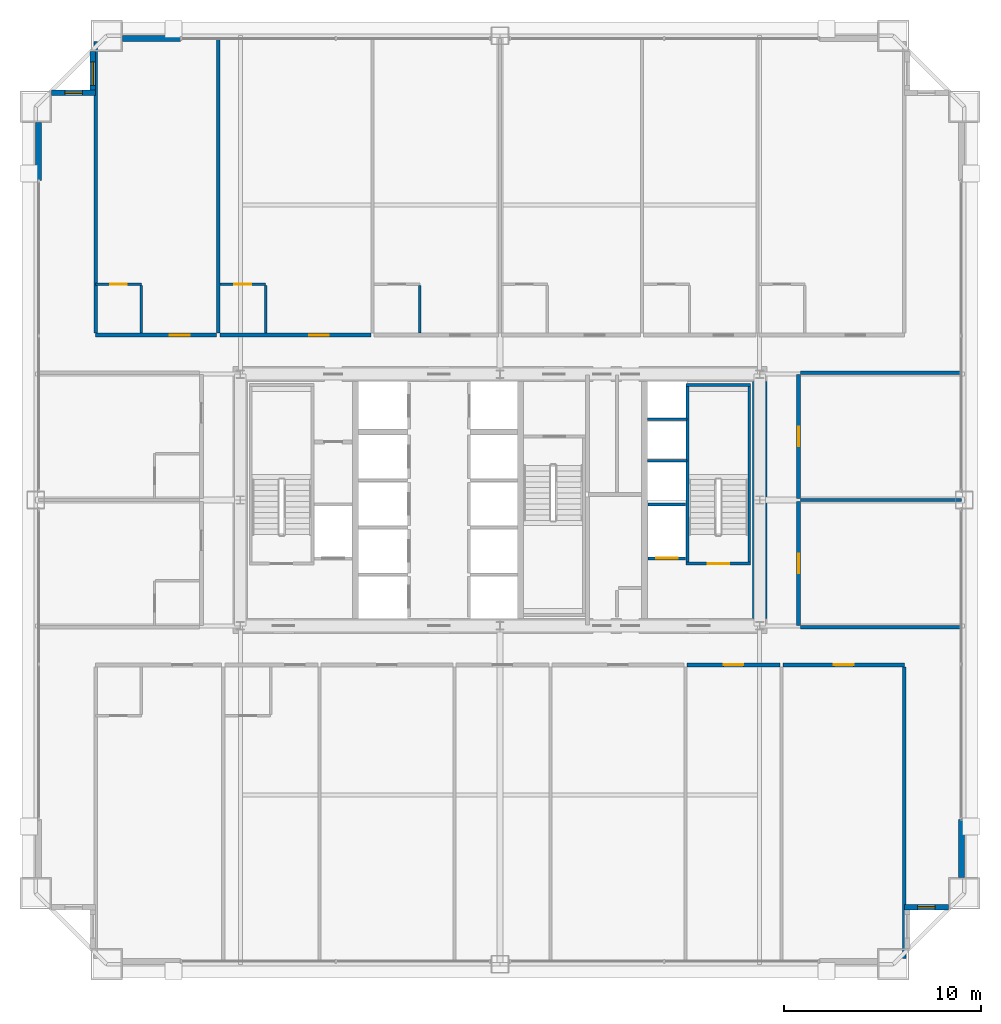
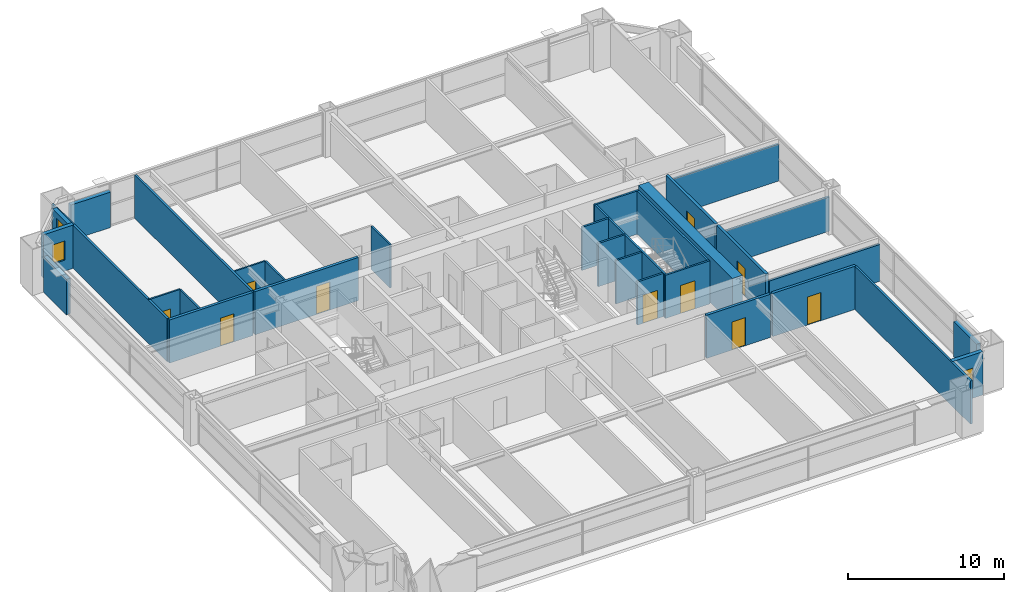
# One storey, part 37 of 39: 32 walls, 10 doors, 3 windows, 13 openings.
"""IFC4 building model written with IfcOpenShell, lengths in metres."""

from ifc_helpers import new_model, si_unit, direction, frame, frame_2d, origin, place, context, subcontext, project, spatial, rectangle, extrude, source, transform, mapped, material, layer, layer_set, type_object, element, fill, save


model = new_model("IFC4")

# Units and contexts
model_context = context("Model", 3, precision=1e-05, world=origin(), true_north=direction((0.0, 1.0)))
body_context = subcontext(model_context, "Body", "Model", "MODEL_VIEW")
ifc_project = project(units=[si_unit("LENGTHUNIT", "METRE"), si_unit("AREAUNIT", "SQUARE_METRE"), si_unit("VOLUMEUNIT", "CUBIC_METRE"), si_unit("PLANEANGLEUNIT", "RADIAN"), si_unit("MASSUNIT", "GRAM", prefix="KILO"), si_unit("THERMODYNAMICTEMPERATUREUNIT", "KELVIN"), si_unit("POWERUNIT", "WATT")], contexts=[model_context])

# Site, building, storey
site_placement = place(None, origin())
site = spatial("IfcSite", under=ifc_project, at=site_placement, CompositionType="ELEMENT")
building_placement = place(site_placement, origin())
building = spatial("IfcBuilding", under=site, at=building_placement, Name="Yuzanri Waterfront Tower", CompositionType="ELEMENT")
storey_placement = place(building_placement, frame((0.0, 0.0, 156.0)))
storey = spatial("IfcBuildingStorey", under=building, at=storey_placement, Name="L41", CompositionType="ELEMENT", Elevation=156.0)

# Wall, opening, door
ifc_material_1 = material(Name="Moisture-Resistant Gypsum Stud Wall", Category="gypsum")
ifc_layer_1 = layer(ifc_material_1, 0.1201171875)
ifc_layer_set_1 = layer_set([ifc_layer_1], Name="Moisture-Resistant Gypsum Stud Wall")
wall_type_1 = type_object("IfcWallType", Name="Bathroom and Kitchen Wet Partition 120", PredefinedType="PARTITIONING", material=ifc_layer_set_1)
wall_1_placement = place(storey_placement, frame((16.43994140625, 36.760009765625, 0.0), z_axis=(0.0, 0.0, 1.0), x_axis=(1.0, 0.0, 0.0)))
wall_1 = element("IfcWall", 1, at=wall_1_placement, inside=storey, type_object=wall_type_1, Name="L41 Partition UW-L41-N1-BN", PredefinedType="PARTITIONING", context=body_context, shape_type="SweptSolid", body=[
    extrude(rectangle(XDim=2.330078125, YDim=0.1201171875, at=frame_2d((1.1650390625, 0.0))), origin(), (0.0, 0.0, 1.0), 3.3798828125),
])
opening_1_placement = place(wall_1_placement, frame((0.739990234375, 0.0, 0.0)))
opening_1 = element("IfcOpeningElement", 2, at=opening_1_placement, cuts=wall_1, Name="Opening ID-0850", PredefinedType="OPENING", context=body_context, shape_type="SweptSolid", body=[
    extrude(rectangle(XDim=0.85009765625, YDim=2.10009765625, at=frame_2d((0.425048828125, 1.050048828125))), frame((0.0, 0.074951171875, 0.0), z_axis=(0.0, -1.0, 0.0), x_axis=(1.0, 0.0, 0.0)), (0.0, 0.0, 1.0), 0.14990234375),
])
ifc_material_2 = material(Name="Moisture-Resistant Lacquered Timber", Category="wood")
door_type_1 = type_object("IfcDoorType", Name="En-Suite Bathroom and Kitchen Swing Door 850x2100", OperationType="NOTDEFINED", PredefinedType="DOOR", material=ifc_material_2)
shared_shape_1 = source(origin(), body_context, "Body", "SweptSolid", [
    extrude(rectangle(XDim=0.85009765625, YDim=2.10009765625, at=frame_2d((0.425048828125, 1.050048828125))), frame((0.0, 0.02490234375, 0.0), z_axis=(0.0, -1.0, 0.0), x_axis=(1.0, 0.0, 0.0)), (0.0, 0.0, 1.0), 0.050048828125),
])
door_1_placement = place(opening_1_placement, origin())
door_1 = element("IfcDoor", 3, at=door_1_placement, inside=storey, type_object=door_type_1, Name="L41 Guest En-Suite Door", OperationType="SINGLE_SWING_LEFT", OverallHeight=2.10009765625, OverallWidth=0.85009765625, PredefinedType="DOOR", context=body_context, shape_type="MappedRepresentation", body=[
    mapped(shared_shape_1, transform((0.0, 0.0, 0.0), scale=1.0)),
])
fill(opening_1, door_1)

wall_2_placement = place(storey_placement, frame((22.757080078125, 36.760009765625, 0.0), z_axis=(0.0, 0.0, 1.0), x_axis=(1.0, 0.0, 0.0)))
wall_2 = element("IfcWall", 4, at=wall_2_placement, inside=storey, type_object=wall_type_1, Name="L41 Partition UW-L41-N2-BN", PredefinedType="PARTITIONING", context=body_context, shape_type="SweptSolid", body=[
    extrude(rectangle(XDim=2.329833984375, YDim=0.1201171875, at=frame_2d((1.1650390625, 0.0))), origin(), (0.0, 0.0, 1.0), 3.3798828125),
])
opening_2_placement = place(wall_2_placement, frame((0.739990234375, 0.0, 0.0)))
opening_2 = element("IfcOpeningElement", 5, at=opening_2_placement, cuts=wall_2, Name="Opening ID-0850", PredefinedType="OPENING", context=body_context, shape_type="SweptSolid", body=[
    extrude(rectangle(XDim=0.85009765625, YDim=2.10009765625, at=frame_2d((0.425048828125, 1.050048828125))), frame((0.0, 0.074951171875, 0.0), z_axis=(0.0, -1.0, 0.0), x_axis=(1.0, 0.0, 0.0)), (0.0, 0.0, 1.0), 0.14990234375),
])
door_2_placement = place(opening_2_placement, origin())
door_2 = element("IfcDoor", 6, at=door_2_placement, inside=storey, type_object=door_type_1, Name="L41 Guest En-Suite Door", OperationType="SINGLE_SWING_LEFT", OverallHeight=2.10009765625, OverallWidth=0.85009765625, PredefinedType="DOOR", context=body_context, shape_type="MappedRepresentation", body=[
    mapped(shared_shape_1, transform((0.0, 0.0, 0.0), scale=1.0)),
])
fill(opening_2, door_2)

# Wall, opening, window
ifc_material_3 = material(Name="Honed Chongqing Dark Basalt Stone", Category="masonry")
ifc_layer_2 = layer(ifc_material_3, 0.300048828125)
ifc_layer_set_2 = layer_set([ifc_layer_2], Name="Honed Chongqing Dark Basalt Stone")
wall_type_2 = type_object("IfcWallType", Name="Bronze Rainscreen Insulated Spandrel Portal Wall 300", PredefinedType="SOLIDWALL", material=ifc_layer_set_2)
wall_3_placement = place(storey_placement, frame((57.550048828125, 5.10009765625, 0.0), z_axis=(0.0, 0.0, 1.0), x_axis=(1.0, 0.0, 0.0)))
wall_3 = element("IfcWall", 7, at=wall_3_placement, inside=storey, type_object=wall_type_2, Name="L41 Notched Corner Masonry Wall SE-X", PredefinedType="SOLIDWALL", context=body_context, shape_type="SweptSolid", body=[
    extrude(rectangle(XDim=2.25, YDim=0.300048828125, at=frame_2d((1.125, 0.0))), origin(), (0.0, 0.0, 1.0), 3.3798828125),
])
opening_3_placement = place(wall_3_placement, frame((0.675048828125, 0.0, 0.85009765625)))
opening_3 = element("IfcOpeningElement", 8, at=opening_3_placement, cuts=wall_3, Name="Opening WN-05", PredefinedType="OPENING", context=body_context, shape_type="SweptSolid", body=[
    extrude(rectangle(XDim=0.89990234375, YDim=1.5, at=frame_2d((0.449951171875, 0.75))), frame((0.0, 0.1650390625, 0.0), z_axis=(0.0, -1.0, 0.0), x_axis=(1.0, 0.0, 0.0)), (0.0, 0.0, 1.0), 0.329833984375),
])
ifc_material_4 = material(Name="Double-Silver Low-E Insulated Glass", Category="glass")
window_type_1 = type_object("IfcWindowType", Name="Anodized Bronze Service and Stairwell Smoke-Vent Window 900x1500", PartitioningType="SINGLE_PANEL", PredefinedType="WINDOW", material=ifc_material_4)
shared_shape_2 = source(origin(), body_context, "Body", "SweptSolid", [
    extrude(rectangle(XDim=0.89990234375, YDim=1.5, at=frame_2d((0.449951171875, 0.75))), frame((0.0, 0.030029296875, 0.0), z_axis=(0.0, -1.0, 0.0), x_axis=(1.0, 0.0, 0.0)), (0.0, 0.0, 1.0), 0.06005859375),
])
window_1_placement = place(opening_3_placement, origin())
window_1 = element("IfcWindow", 9, at=window_1_placement, inside=storey, type_object=window_type_1, Name="L41 Notched Corner Window SE-X", OverallHeight=1.5, OverallWidth=0.89990234375, PartitioningType="SINGLE_PANEL", PredefinedType="WINDOW", context=body_context, shape_type="MappedRepresentation", body=[
    mapped(shared_shape_2, transform((0.0, 0.0, 0.0), scale=1.0)),
])
fill(opening_3, window_1)

wall_4_placement = place(storey_placement, frame((16.449951171875, 46.5, 0.0), z_axis=(0.0, 0.0, 1.0), x_axis=(-1.0, 0.0, 0.0)))
wall_4 = element("IfcWall", 10, at=wall_4_placement, inside=storey, type_object=wall_type_2, Name="L41 Notched Corner Masonry Wall NW-X", PredefinedType="SOLIDWALL", context=body_context, shape_type="SweptSolid", body=[
    extrude(rectangle(XDim=2.25, YDim=0.300048828125, at=frame_2d((1.125, 0.0))), origin(), (0.0, 0.0, 1.0), 3.3798828125),
])
opening_4_placement = place(wall_4_placement, frame((0.675048828125, 0.0, 0.85009765625)))
opening_4 = element("IfcOpeningElement", 11, at=opening_4_placement, cuts=wall_4, Name="Opening WN-05", PredefinedType="OPENING", context=body_context, shape_type="SweptSolid", body=[
    extrude(rectangle(XDim=0.89990234375, YDim=1.5, at=frame_2d((0.449951171875, 0.75))), frame((0.0, 0.1650390625, 0.0), z_axis=(0.0, -1.0, 0.0), x_axis=(1.0, 0.0, 0.0)), (0.0, 0.0, 1.0), 0.329833984375),
])
window_2_placement = place(opening_4_placement, origin())
window_2 = element("IfcWindow", 12, at=window_2_placement, inside=storey, type_object=window_type_1, Name="L41 Notched Corner Window NW-X", OverallHeight=1.5, OverallWidth=0.89990234375, PartitioningType="SINGLE_PANEL", PredefinedType="WINDOW", context=body_context, shape_type="MappedRepresentation", body=[
    mapped(shared_shape_2, transform((0.0, 0.0, 0.0), scale=1.0)),
])
fill(opening_4, window_2)

wall_5_placement = place(storey_placement, frame((16.300048828125, 48.60009765625, 0.0), z_axis=(0.0, 0.0, 1.0), x_axis=(0.0, -1.0, 0.0)))
wall_5 = element("IfcWall", 13, at=wall_5_placement, inside=storey, type_object=wall_type_2, Name="L41 Notched Corner Masonry Wall NW-Y", PredefinedType="SOLIDWALL", context=body_context, shape_type="SweptSolid", body=[
    extrude(rectangle(XDim=2.25, YDim=0.300048828125, at=frame_2d((1.125, 0.0))), origin(), (0.0, 0.0, 1.0), 3.3798828125),
])
opening_5_placement = place(wall_5_placement, frame((0.52490234375, 0.0, 0.85009765625)))
opening_5 = element("IfcOpeningElement", 14, at=opening_5_placement, cuts=wall_5, Name="Opening WN-02", PredefinedType="OPENING", context=body_context, shape_type="SweptSolid", body=[
    extrude(rectangle(XDim=1.199951171875, YDim=2.10009765625, at=frame_2d((0.60009765625, 1.050048828125))), frame((0.0, 0.1650390625, 0.0), z_axis=(0.0, -1.0, 0.0), x_axis=(1.0, 0.0, 0.0)), (0.0, 0.0, 1.0), 0.329833984375),
])
ifc_material_5 = material(Name="Double-Silver Low-E Insulated Glass", Category="glass")
window_type_2 = type_object("IfcWindowType", Name="Anodized Bronze Notched Corner Deep-Set Slot Window 1200x2100", PartitioningType="SINGLE_PANEL", PredefinedType="WINDOW", material=ifc_material_5)
shared_shape_3 = source(origin(), body_context, "Body", "SweptSolid", [
    extrude(rectangle(XDim=1.199951171875, YDim=2.10009765625, at=frame_2d((0.60009765625, 1.050048828125))), frame((0.0, 0.030029296875, 0.0), z_axis=(0.0, -1.0, 0.0), x_axis=(1.0, 0.0, 0.0)), (0.0, 0.0, 1.0), 0.06005859375),
])
window_3_placement = place(opening_5_placement, origin())
window_3 = element("IfcWindow", 15, at=window_3_placement, inside=storey, type_object=window_type_2, Name="L41 Notched Corner Window NW-Y", OverallHeight=2.10009765625, OverallWidth=1.199951171875, PartitioningType="SINGLE_PANEL", PredefinedType="WINDOW", context=body_context, shape_type="MappedRepresentation", body=[
    mapped(shared_shape_3, transform((0.0, 0.0, 0.0), scale=1.0)),
])
fill(opening_5, window_3)

# Wall, opening, door
ifc_material_6 = material(Name="Concrete C40", Category="concrete")
ifc_layer_3 = layer(ifc_material_6, 0.139892578125)
ifc_layer_set_3 = layer_set([ifc_layer_3], Name="Concrete C40")
wall_type_3 = type_object("IfcWallType", Name="Core Stair Liner and Hoistway Shaft Wall 140", PredefinedType="SOLIDWALL", material=ifc_layer_set_3)
wall_6_placement = place(storey_placement, frame((44.52001953125, 22.830078125, 0.0), z_axis=(0.0, 0.0, 1.0), x_axis=(1.0, 0.0, 0.0)))
wall_6 = element("IfcWall", 16, at=wall_6_placement, inside=storey, type_object=wall_type_3, Name="L41 Lift FL-02 Front Shaft Wall", PredefinedType="SOLIDWALL", context=body_context, shape_type="SweptSolid", body=[
    extrude(rectangle(XDim=1.919921875, YDim=0.139892578125, at=frame_2d((0.9599609375, 0.0))), origin(), (0.0, 0.0, 1.0), 3.3798828125),
])
opening_6_placement = place(wall_6_placement, frame((0.409912109375, 0.0, 0.0)))
opening_6 = element("IfcOpeningElement", 17, at=opening_6_placement, cuts=wall_6, Name="Opening LD-FL-02", PredefinedType="OPENING", context=body_context, shape_type="SweptSolid", body=[
    extrude(rectangle(XDim=1.10009765625, YDim=2.199951171875, at=frame_2d((0.550048828125, 1.10009765625))), frame((0.0, 0.0849609375, 0.0), z_axis=(0.0, -1.0, 0.0), x_axis=(1.0, 0.0, 0.0)), (0.0, 0.0, 1.0), 0.169677734375),
])
ifc_material_7 = material(Name="Brushed Bronze and Stainless Steel Cab", Category="steel")
door_type_2 = type_object("IfcDoorType", Name="Center-Parting Bronze Lift Landing Sliding Door 1100x2200", OperationType="NOTDEFINED", PredefinedType="DOOR", material=ifc_material_7)
shared_shape_4 = source(origin(), body_context, "Body", "SweptSolid", [
    extrude(rectangle(XDim=1.10009765625, YDim=2.199951171875, at=frame_2d((0.550048828125, 1.10009765625))), frame((0.0, 0.02490234375, 0.0), z_axis=(0.0, -1.0, 0.0), x_axis=(1.0, 0.0, 0.0)), (0.0, 0.0, 1.0), 0.050048828125),
])
door_3_placement = place(opening_6_placement, origin())
door_3 = element("IfcDoor", 18, at=door_3_placement, inside=storey, type_object=door_type_2, Name="L41 FL-02 Lift Landing Sliding Door", OperationType="SLIDING_TO_RIGHT", OverallHeight=2.199951171875, OverallWidth=1.10009765625, PredefinedType="DOOR", context=body_context, shape_type="MappedRepresentation", body=[
    mapped(shared_shape_4, transform((0.0, 0.0, 0.0), scale=1.0)),
])
fill(opening_6, door_3)

wall_7_placement = place(storey_placement, frame((46.4599609375, 22.570068359375, 0.0), z_axis=(0.0, 0.0, 1.0), x_axis=(1.0, 0.0, 0.0)))
wall_7 = element("IfcWall", 19, at=wall_7_placement, inside=storey, type_object=wall_type_3, Name="L41 Shaft Wall STW-L41-ST-02-S", PredefinedType="SOLIDWALL", context=body_context, shape_type="SweptSolid", body=[
    extrude(rectangle(XDim=3.280029296875, YDim=0.139892578125, at=frame_2d((1.64013671875, 0.0))), origin(), (0.0, 0.0, 1.0), 3.3798828125),
])
opening_7_placement = place(wall_7_placement, frame((1.090087890625, 0.0, 0.0)))
opening_7 = element("IfcOpeningElement", 20, at=opening_7_placement, cuts=wall_7, Name="Opening FD-1100", PredefinedType="OPENING", context=body_context, shape_type="SweptSolid", body=[
    extrude(rectangle(XDim=1.10009765625, YDim=2.199951171875, at=frame_2d((0.550048828125, 1.10009765625))), frame((0.0, 0.0849609375, 0.0), z_axis=(0.0, -1.0, 0.0), x_axis=(1.0, 0.0, 0.0)), (0.0, 0.0, 1.0), 0.169677734375),
])
ifc_material_8 = material(Name="Painted Galvanized Fire Steel", Category="steel")
door_type_3 = type_object("IfcDoorType", Name="Smoke-Proof Stair and Lobby Fire Door 1100x2200", OperationType="NOTDEFINED", PredefinedType="DOOR", material=ifc_material_8)
shared_shape_5 = source(origin(), body_context, "Body", "SweptSolid", [
    extrude(rectangle(XDim=1.10009765625, YDim=2.199951171875, at=frame_2d((0.550048828125, 1.10009765625))), frame((0.0, 0.02490234375, 0.0), z_axis=(0.0, -1.0, 0.0), x_axis=(1.0, 0.0, 0.0)), (0.0, 0.0, 1.0), 0.050048828125),
])
door_4_placement = place(opening_7_placement, origin())
door_4 = element("IfcDoor", 21, at=door_4_placement, inside=storey, type_object=door_type_3, Name="L41 Stair ST-02 Fire Door", OperationType="SINGLE_SWING_RIGHT", OverallHeight=2.199951171875, OverallWidth=1.10009765625, PredefinedType="DOOR", context=body_context, shape_type="MappedRepresentation", body=[
    mapped(shared_shape_5, transform((0.0, 0.0, 0.0), scale=1.0)),
])
fill(opening_7, door_4)

ifc_material_9 = material(Name="Autoclaved Aerated Concrete Blockwork", Category="masonry")
ifc_layer_4 = layer(ifc_material_9, 0.199951171875)
ifc_layer_set_4 = layer_set([ifc_layer_4], Name="Autoclaved Aerated Concrete Blockwork")
wall_type_4 = type_object("IfcWallType", Name="Corridor and Unit Party Fire Wall 200", PredefinedType="PARTITIONING", material=ifc_layer_set_4)
wall_8_placement = place(storey_placement, frame((46.508056640625, 17.419921875, 0.0), z_axis=(0.0, 0.0, 1.0), x_axis=(1.0, 0.0, 0.0)))
wall_8 = element("IfcWall", 22, at=wall_8_placement, inside=storey, type_object=wall_type_4, Name="L41 Partition UW-L41-S6-CN", PredefinedType="PARTITIONING", context=body_context, shape_type="SweptSolid", body=[
    extrude(rectangle(XDim=4.72802734375, YDim=0.199951171875, at=frame_2d((2.364013671875, 0.0))), origin(), (0.0, 0.0, 1.0), 3.3798828125),
])
opening_8_placement = place(wall_8_placement, frame((1.864013671875, 0.0, 0.0)))
opening_8 = element("IfcOpeningElement", 23, at=opening_8_placement, cuts=wall_8, Name="Opening FD-1000", PredefinedType="OPENING", context=body_context, shape_type="SweptSolid", body=[
    extrude(rectangle(XDim=1.0, YDim=2.199951171875, at=frame_2d((0.5, 1.10009765625))), frame((0.0, 0.11474609375, 0.0), z_axis=(0.0, -1.0, 0.0), x_axis=(1.0, 0.0, 0.0)), (0.0, 0.0, 1.0), 0.229736328125),
])
ifc_material_10 = material(Name="Engineered Oak Fire-Rated Timber", Category="wood")
door_type_4 = type_object("IfcDoorType", Name="Guestroom and Apartment Entrance Fire Door 1000x2200", OperationType="NOTDEFINED", PredefinedType="DOOR", material=ifc_material_10)
shared_shape_6 = source(origin(), body_context, "Body", "SweptSolid", [
    extrude(rectangle(XDim=1.0, YDim=2.199951171875, at=frame_2d((0.5, 1.10009765625))), frame((0.0, 0.02490234375, 0.0), z_axis=(0.0, -1.0, 0.0), x_axis=(1.0, 0.0, 0.0)), (0.0, 0.0, 1.0), 0.050048828125),
])
door_5_placement = place(opening_8_placement, origin())
door_5 = element("IfcDoor", 24, at=door_5_placement, inside=storey, type_object=door_type_4, Name="L41 Office A Entrance Door", OperationType="SINGLE_SWING_RIGHT", OverallHeight=2.199951171875, OverallWidth=1.0, PredefinedType="DOOR", context=body_context, shape_type="MappedRepresentation", body=[
    mapped(shared_shape_6, transform((0.0, 0.0, 0.0), scale=1.0)),
])
fill(opening_8, door_5)

wall_9_placement = place(storey_placement, frame((51.39599609375, 17.419921875, 0.0), z_axis=(0.0, 0.0, 1.0), x_axis=(1.0, 0.0, 0.0)))
wall_9 = element("IfcWall", 25, at=wall_9_placement, inside=storey, type_object=wall_type_4, Name="L41 Partition UW-L41-S7-CN", PredefinedType="PARTITIONING", context=body_context, shape_type="SweptSolid", body=[
    extrude(rectangle(XDim=6.1640625, YDim=0.199951171875, at=frame_2d((3.08203125, 0.0))), origin(), (0.0, 0.0, 1.0), 3.3798828125),
])
opening_9_placement = place(wall_9_placement, frame((2.58203125, 0.0, 0.0)))
opening_9 = element("IfcOpeningElement", 26, at=opening_9_placement, cuts=wall_9, Name="Opening FD-1000", PredefinedType="OPENING", context=body_context, shape_type="SweptSolid", body=[
    extrude(rectangle(XDim=1.0, YDim=2.199951171875, at=frame_2d((0.5, 1.10009765625))), frame((0.0, 0.11474609375, 0.0), z_axis=(0.0, -1.0, 0.0), x_axis=(1.0, 0.0, 0.0)), (0.0, 0.0, 1.0), 0.229736328125),
])
door_6_placement = place(opening_9_placement, origin())
door_6 = element("IfcDoor", 27, at=door_6_placement, inside=storey, type_object=door_type_4, Name="L41 Office B Entrance Door", OperationType="SINGLE_SWING_LEFT", OverallHeight=2.199951171875, OverallWidth=1.0, PredefinedType="DOOR", context=body_context, shape_type="MappedRepresentation", body=[
    mapped(shared_shape_6, transform((0.0, 0.0, 0.0), scale=1.0)),
])
fill(opening_9, door_6)

wall_10_placement = place(storey_placement, frame((16.43994140625, 34.179931640625, 0.0), z_axis=(0.0, 0.0, 1.0), x_axis=(1.0, 0.0, 0.0)))
wall_10 = element("IfcWall", 28, at=wall_10_placement, inside=storey, type_object=wall_type_4, Name="L41 Partition UW-L41-N1-CS", PredefinedType="PARTITIONING", context=body_context, shape_type="SweptSolid", body=[
    extrude(rectangle(XDim=6.156982421875, YDim=0.199951171875, at=frame_2d((3.07861328125, 0.0))), origin(), (0.0, 0.0, 1.0), 3.3798828125),
])
opening_10_placement = place(wall_10_placement, frame((3.783935546875, 0.0, 0.0)))
opening_10 = element("IfcOpeningElement", 29, at=opening_10_placement, cuts=wall_10, Name="Opening FD-1000", PredefinedType="OPENING", context=body_context, shape_type="SweptSolid", body=[
    extrude(rectangle(XDim=1.0, YDim=2.199951171875, at=frame_2d((0.5, 1.10009765625))), frame((0.0, 0.11474609375, 0.0), z_axis=(0.0, -1.0, 0.0), x_axis=(1.0, 0.0, 0.0)), (0.0, 0.0, 1.0), 0.229736328125),
])
door_7_placement = place(opening_10_placement, origin())
door_7 = element("IfcDoor", 30, at=door_7_placement, inside=storey, type_object=door_type_4, Name="L41 Deluxe Queen Junior Suite Entrance Door", OperationType="SINGLE_SWING_RIGHT", OverallHeight=2.199951171875, OverallWidth=1.0, PredefinedType="DOOR", context=body_context, shape_type="MappedRepresentation", body=[
    mapped(shared_shape_6, transform((0.0, 0.0, 0.0), scale=1.0)),
])
fill(opening_10, door_7)

wall_11_placement = place(storey_placement, frame((22.757080078125, 34.179931640625, 0.0), z_axis=(0.0, 0.0, 1.0), x_axis=(1.0, 0.0, 0.0)))
wall_11 = element("IfcWall", 31, at=wall_11_placement, inside=storey, type_object=wall_type_4, Name="L41 Partition UW-L41-N2-CS", PredefinedType="PARTITIONING", context=body_context, shape_type="SweptSolid", body=[
    extrude(rectangle(XDim=7.679931640625, YDim=0.199951171875, at=frame_2d((3.83984375, 0.0))), origin(), (0.0, 0.0, 1.0), 3.3798828125),
])
opening_11_placement = place(wall_11_placement, frame((4.544921875, 0.0, 0.0)))
opening_11 = element("IfcOpeningElement", 32, at=opening_11_placement, cuts=wall_11, Name="Opening FD-1000", PredefinedType="OPENING", context=body_context, shape_type="SweptSolid", body=[
    extrude(rectangle(XDim=1.0, YDim=2.199951171875, at=frame_2d((0.5, 1.10009765625))), frame((0.0, 0.11474609375, 0.0), z_axis=(0.0, -1.0, 0.0), x_axis=(1.0, 0.0, 0.0)), (0.0, 0.0, 1.0), 0.229736328125),
])
door_8_placement = place(opening_11_placement, origin())
door_8 = element("IfcDoor", 33, at=door_8_placement, inside=storey, type_object=door_type_4, Name="L41 Deluxe Queen Junior Suite Entrance Door", OperationType="SINGLE_SWING_RIGHT", OverallHeight=2.199951171875, OverallWidth=1.0, PredefinedType="DOOR", context=body_context, shape_type="MappedRepresentation", body=[
    mapped(shared_shape_6, transform((0.0, 0.0, 0.0), scale=1.0)),
])
fill(opening_11, door_8)

wall_12_placement = place(storey_placement, frame((52.179931640625, 19.409912109375, 0.0), z_axis=(0.0, 0.0, 1.0), x_axis=(0.0, 1.0, 0.0)))
wall_12 = element("IfcWall", 34, at=wall_12_placement, inside=storey, type_object=wall_type_4, Name="L41 Partition UW-L41-E1-CW", PredefinedType="PARTITIONING", context=body_context, shape_type="SweptSolid", body=[
    extrude(rectangle(XDim=6.31005859375, YDim=0.199951171875, at=frame_2d((3.155029296875, 0.0))), origin(), (0.0, 0.0, 1.0), 3.3798828125),
])
opening_12_placement = place(wall_12_placement, frame((2.655029296875, 0.0, 0.0)))
opening_12 = element("IfcOpeningElement", 35, at=opening_12_placement, cuts=wall_12, Name="Opening FD-1000", PredefinedType="OPENING", context=body_context, shape_type="SweptSolid", body=[
    extrude(rectangle(XDim=1.0, YDim=2.199951171875, at=frame_2d((0.5, 1.10009765625))), frame((0.0, 0.11474609375, 0.0), z_axis=(0.0, -1.0, 0.0), x_axis=(1.0, 0.0, 0.0)), (0.0, 0.0, 1.0), 0.229736328125),
])
door_9_placement = place(opening_12_placement, origin())
door_9 = element("IfcDoor", 36, at=door_9_placement, inside=storey, type_object=door_type_4, Name="L41 Boardroom 1 Entrance Door", OperationType="SINGLE_SWING_RIGHT", OverallHeight=2.199951171875, OverallWidth=1.0, PredefinedType="DOOR", context=body_context, shape_type="MappedRepresentation", body=[
    mapped(shared_shape_6, transform((0.0, 0.0, 0.0), scale=1.0)),
])
fill(opening_12, door_9)

wall_13_placement = place(storey_placement, frame((52.179931640625, 25.8798828125, 0.0), z_axis=(0.0, 0.0, 1.0), x_axis=(0.0, 1.0, 0.0)))
wall_13 = element("IfcWall", 37, at=wall_13_placement, inside=storey, type_object=wall_type_4, Name="L41 Partition UW-L41-E2-CW", PredefinedType="PARTITIONING", context=body_context, shape_type="SweptSolid", body=[
    extrude(rectangle(XDim=6.31005859375, YDim=0.199951171875, at=frame_2d((3.155029296875, 0.0))), origin(), (0.0, 0.0, 1.0), 3.3798828125),
])
opening_13_placement = place(wall_13_placement, frame((2.655029296875, 0.0, 0.0)))
opening_13 = element("IfcOpeningElement", 38, at=opening_13_placement, cuts=wall_13, Name="Opening FD-1000", PredefinedType="OPENING", context=body_context, shape_type="SweptSolid", body=[
    extrude(rectangle(XDim=1.0, YDim=2.199951171875, at=frame_2d((0.5, 1.10009765625))), frame((0.0, 0.11474609375, 0.0), z_axis=(0.0, -1.0, 0.0), x_axis=(1.0, 0.0, 0.0)), (0.0, 0.0, 1.0), 0.229736328125),
])
door_10_placement = place(opening_13_placement, origin())
door_10 = element("IfcDoor", 39, at=door_10_placement, inside=storey, type_object=door_type_4, Name="L41 Boardroom 2 Entrance Door", OperationType="SINGLE_SWING_LEFT", OverallHeight=2.199951171875, OverallWidth=1.0, PredefinedType="DOOR", context=body_context, shape_type="MappedRepresentation", body=[
    mapped(shared_shape_6, transform((0.0, 0.0, 0.0), scale=1.0)),
])
fill(opening_13, door_10)

# Walls
ifc_material_11 = material(Name="Concrete C55", Category="concrete")
ifc_layer_5 = layer(ifc_material_11, 0.75)
ifc_layer_set_5 = layer_set([ifc_layer_5], Name="Concrete C55")
wall_type_5 = type_object("IfcWallType", Name="Concrete C55 Low-Mid Zone Core Shear Wall 750", PredefinedType="SHEAR", material=ifc_layer_set_5)
shared_shape_7 = source(origin(), body_context, "Body", "SweptSolid", [
    extrude(rectangle(XDim=12.050048828125, YDim=0.75, at=frame_2d((6.02490234375, 0.0))), origin(), (0.0, 0.0, 1.0), 3.60009765625),
])
wall_14_placement = place(storey_placement, frame((50.199951171875, 19.77490234375, 0.0), z_axis=(0.0, 0.0, 1.0), x_axis=(0.0, 1.0, 0.0)))
element("IfcWall", 40, at=wall_14_placement, inside=storey, type_object=wall_type_5, Name="L41 Core East Shear Wall", PredefinedType="SHEAR", context=body_context, shape_type="MappedRepresentation", body=[
    mapped(shared_shape_7, transform((0.0, 0.0, 0.0), scale=1.0)),
])
shared_shape_8 = source(origin(), body_context, "Body", "SweptSolid", [
    extrude(rectangle(XDim=2.949951171875, YDim=0.300048828125, at=frame_2d((1.47509765625, 0.0))), origin(), (0.0, 0.0, 1.0), 2.77490234375),
])
for number, where, z_axis, x_axis, name in (
    (41, (17.800048828125, 49.25, 0.0), (0.0, 0.0, 1.0), (1.0, 0.0, 0.0), "L41 N Left Braced Masonry Shoulder"),
    (42, (13.550048828125, 42.050048828125, 0.0), (0.0, 0.0, 1.0), (0.0, 1.0, 0.0), "L41 W Right Braced Masonry Shoulder"),
    (43, (60.449951171875, 6.60009765625, 0.0), (0.0, 0.0, 1.0), (0.0, 1.0, 0.0), "L41 E Left Braced Masonry Shoulder"),
):
    element("IfcWall", number, at=place(storey_placement, frame(where, z_axis=z_axis, x_axis=x_axis)), inside=storey, type_object=wall_type_2, Name=name, PredefinedType="SOLIDWALL", context=body_context, shape_type="MappedRepresentation", body=[
        mapped(shared_shape_8, transform((0.0, 0.0, 0.0), scale=1.0)),
    ])
shared_shape_9 = source(origin(), body_context, "Body", "SweptSolid", [
    extrude(rectangle(XDim=1.919921875, YDim=0.139892578125, at=frame_2d((0.9599609375, 0.0))), origin(), (0.0, 0.0, 1.0), 3.3798828125),
])
wall_15_placement = place(storey_placement, frame((44.52001953125, 25.570068359375, 0.0), z_axis=(0.0, 0.0, 1.0), x_axis=(1.0, 0.0, 0.0)))
element("IfcWall", 44, at=wall_15_placement, inside=storey, type_object=wall_type_3, Name="L41 Lift FL-02 Back Shaft Wall", PredefinedType="SOLIDWALL", context=body_context, shape_type="MappedRepresentation", body=[
    mapped(shared_shape_9, transform((0.0, 0.0, 0.0), scale=1.0)),
])
shared_shape_10 = source(origin(), body_context, "Body", "SweptSolid", [
    extrude(rectangle(XDim=2.0, YDim=0.139892578125, at=frame_2d((1.0, 0.0))), origin(), (0.0, 0.0, 1.0), 3.3798828125),
])
for number, where, z_axis, x_axis, name in (
    (45, (44.5, 27.800048828125, 0.0), (0.0, 0.0, 1.0), (1.0, 0.0, 0.0), "L41 Lift PL-09 Divider Wall"),
    (46, (44.5, 29.89990234375, 0.0), (0.0, 0.0, 1.0), (1.0, 0.0, 0.0), "L41 Lift PL-10 Divider Wall"),
):
    element("IfcWall", number, at=place(storey_placement, frame(where, z_axis=z_axis, x_axis=x_axis)), inside=storey, type_object=wall_type_3, Name=name, PredefinedType="SOLIDWALL", context=body_context, shape_type="MappedRepresentation", body=[
        mapped(shared_shape_10, transform((0.0, 0.0, 0.0), scale=1.0)),
    ])
shared_shape_11 = source(origin(), body_context, "Body", "SweptSolid", [
    extrude(rectangle(XDim=3.280029296875, YDim=0.139892578125, at=frame_2d((1.64013671875, 0.0))), origin(), (0.0, 0.0, 1.0), 3.3798828125),
])
wall_16_placement = place(storey_placement, frame((46.4599609375, 31.64990234375, 0.0), z_axis=(0.0, 0.0, 1.0), x_axis=(1.0, 0.0, 0.0)))
element("IfcWall", 47, at=wall_16_placement, inside=storey, type_object=wall_type_3, Name="L41 Stair ST-02 North Shaft Wall", PredefinedType="SOLIDWALL", context=body_context, shape_type="MappedRepresentation", body=[
    mapped(shared_shape_11, transform((0.0, 0.0, 0.0), scale=1.0)),
])
shared_shape_12 = source(origin(), body_context, "Body", "SweptSolid", [
    extrude(rectangle(XDim=8.940185546875, YDim=0.139892578125, at=frame_2d((4.47021484375, 0.0))), origin(), (0.0, 0.0, 1.0), 3.3798828125),
])
for number, where, z_axis, x_axis, name in (
    (48, (46.530029296875, 22.639892578125, 0.0), (0.0, 0.0, 1.0), (0.0, 1.0, 0.0), "L41 Stair ST-02 West Shaft Wall"),
    (49, (49.669921875, 22.639892578125, 0.0), (0.0, 0.0, 1.0), (0.0, 1.0, 0.0), "L41 Stair ST-02 East Shaft Wall"),
):
    element("IfcWall", number, at=place(storey_placement, frame(where, z_axis=z_axis, x_axis=x_axis)), inside=storey, type_object=wall_type_3, Name=name, PredefinedType="SOLIDWALL", context=body_context, shape_type="MappedRepresentation", body=[
        mapped(shared_shape_12, transform((0.0, 0.0, 0.0), scale=1.0)),
    ])
shared_shape_13 = source(origin(), body_context, "Body", "SweptSolid", [
    extrude(rectangle(XDim=2.419921875, YDim=0.1201171875, at=frame_2d((1.2099609375, 0.0))), origin(), (0.0, 0.0, 1.0), 3.3798828125),
])
for number, where, z_axis, x_axis, name in (
    (50, (18.77001953125, 34.280029296875, 0.0), (0.0, 0.0, 1.0), (0.0, 1.0, 0.0), "L41-N1 En-Suite Side Wall"),
    (51, (25.0869140625, 34.280029296875, 0.0), (0.0, 0.0, 1.0), (0.0, 1.0, 0.0), "L41-N2 En-Suite Side Wall"),
    (52, (32.927001953125, 34.280029296875, 0.0), (0.0, 0.0, 1.0), (0.0, 1.0, 0.0), "L41-N3 En-Suite Side Wall"),
):
    element("IfcWall", number, at=place(storey_placement, frame(where, z_axis=z_axis, x_axis=x_axis)), inside=storey, type_object=wall_type_1, Name=name, PredefinedType="PARTITIONING", context=body_context, shape_type="MappedRepresentation", body=[
        mapped(shared_shape_13, transform((0.0, 0.0, 0.0), scale=1.0)),
    ])
ifc_material_12 = material(Name="Gypsum Fireboard Acoustic Stud Wall", Category="gypsum")
ifc_layer_6 = layer(ifc_material_12, 0.159912109375)
ifc_layer_set_6 = layer_set([ifc_layer_6], Name="Gypsum Fireboard Acoustic Stud Wall")
wall_type_6 = type_object("IfcWallType", Name="Acoustic Suite Demising Partition 160", PredefinedType="PARTITIONING", material=ifc_layer_set_6)
shared_shape_14 = source(origin(), body_context, "Body", "SweptSolid", [
    extrude(rectangle(XDim=8.169921875, YDim=0.159912109375, at=frame_2d((4.0849609375, 0.0))), origin(), (0.0, 0.0, 1.0), 2.675048828125),
])
wall_17_placement = place(storey_placement, frame((52.280029296875, 25.800048828125, 0.0), z_axis=(0.0, 0.0, 1.0), x_axis=(1.0, 0.0, 0.0)))
element("IfcWall", 53, at=wall_17_placement, inside=storey, type_object=wall_type_6, Name="L41-E1 Wing Party Wall", PredefinedType="PARTITIONING", context=body_context, shape_type="MappedRepresentation", body=[
    mapped(shared_shape_14, transform((0.0, 0.0, 0.0), scale=1.0)),
])
shared_shape_15 = source(origin(), body_context, "Body", "SweptSolid", [
    extrude(rectangle(XDim=8.169921875, YDim=0.159912109375, at=frame_2d((4.0849609375, 0.0))), origin(), (0.0, 0.0, 1.0), 2.875),
])
for number, where, z_axis, x_axis, name in (
    (54, (52.280029296875, 19.330078125, 0.0), (0.0, 0.0, 1.0), (1.0, 0.0, 0.0), "L41-E1 Wing South End Wall"),
    (55, (52.280029296875, 32.27001953125, 0.0), (0.0, 0.0, 1.0), (1.0, 0.0, 0.0), "L41-E2 Wing North End Wall"),
):
    element("IfcWall", number, at=place(storey_placement, frame(where, z_axis=z_axis, x_axis=x_axis)), inside=storey, type_object=wall_type_6, Name=name, PredefinedType="PARTITIONING", context=body_context, shape_type="MappedRepresentation", body=[
        mapped(shared_shape_15, transform((0.0, 0.0, 0.0), scale=1.0)),
    ])
shared_shape_16 = source(origin(), body_context, "Body", "SweptSolid", [
    extrude(rectangle(XDim=14.969970703125, YDim=0.159912109375, at=frame_2d((7.48486328125, 0.0))), origin(), (0.0, 0.0, 1.0), 3.3798828125),
])
wall_18_placement = place(storey_placement, frame((22.677001953125, 34.280029296875, 0.0), z_axis=(0.0, 0.0, 1.0), x_axis=(0.0, 1.0, 0.0)))
element("IfcWall", 56, at=wall_18_placement, inside=storey, type_object=wall_type_6, Name="L41-N1 Party Wall", PredefinedType="PARTITIONING", context=body_context, shape_type="MappedRepresentation", body=[
    mapped(shared_shape_16, transform((0.0, 0.0, 0.0), scale=1.0)),
])
shared_shape_17 = source(origin(), body_context, "Body", "SweptSolid", [
    extrude(rectangle(XDim=14.820068359375, YDim=0.159912109375, at=frame_2d((7.41015625, 0.0))), origin(), (0.0, 0.0, 1.0), 3.3798828125),
])
for number, where, z_axis, x_axis, name in (
    (57, (57.550048828125, 2.5, 0.0), (0.0, 0.0, 1.0), (0.0, 1.0, 0.0), "L41 South Band East End Wall"),
    (58, (16.449951171875, 34.280029296875, 0.0), (0.0, 0.0, 1.0), (0.0, 1.0, 0.0), "L41 North Band West End Wall"),
):
    element("IfcWall", number, at=place(storey_placement, frame(where, z_axis=z_axis, x_axis=x_axis)), inside=storey, type_object=wall_type_6, Name=name, PredefinedType="PARTITIONING", context=body_context, shape_type="MappedRepresentation", body=[
        mapped(shared_shape_17, transform((0.0, 0.0, 0.0), scale=1.0)),
    ])

save(model, "model.ifc")
